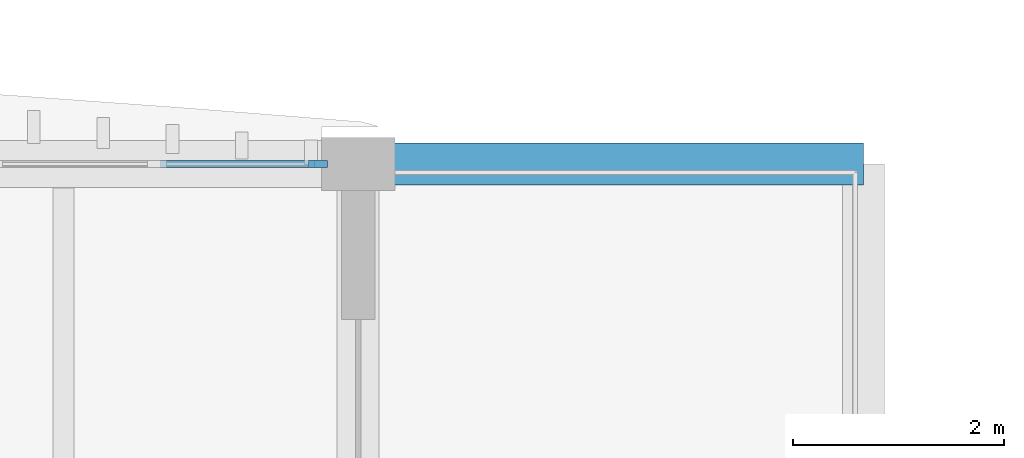
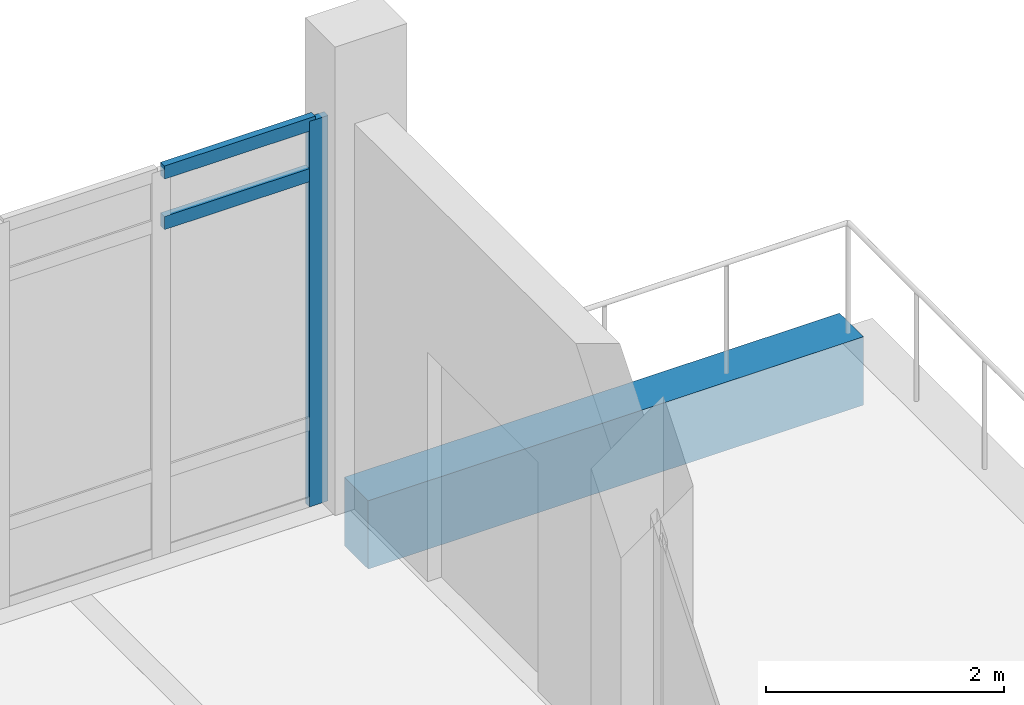
# One storey, part 9 of 50: 3 members, 1 beam, 1 element without a shape of its own.
"""IFC4 building model written with IfcOpenShell, lengths in metres."""

from ifc_helpers import new_model, si_unit, direction, frame, origin, origin_2d, place, context, subcontext, project, spatial, rectangle, extrude, material, material_profile, profile_set, type_object, element, aggregate, save


model = new_model("IFC4")

# Units and contexts
model_context = context("Model", 3, precision=1e-05, world=origin(), true_north=direction((0.0, 1.0)))
body_context = subcontext(model_context, "Body", "Model", "MODEL_VIEW")
ifc_project = project(units=[si_unit("LENGTHUNIT", "METRE"), si_unit("AREAUNIT", "SQUARE_METRE"), si_unit("VOLUMEUNIT", "CUBIC_METRE"), si_unit("PLANEANGLEUNIT", "RADIAN"), si_unit("MASSUNIT", "GRAM", prefix="KILO")], contexts=[model_context])

# Site, building, storey
site_placement = place(None, origin())
site = spatial("IfcSite", under=ifc_project, at=site_placement, CompositionType="ELEMENT")
building_placement = place(site_placement, origin())
building = spatial("IfcBuilding", under=site, at=building_placement, Name="Dornvale Research Institute", CompositionType="ELEMENT")
storey_placement = place(building_placement, frame((0.0, 0.0, 19.800048828125)))
storey = spatial("IfcBuildingStorey", under=building, at=storey_placement, Name="L04", CompositionType="ELEMENT", Elevation=19.800048828125)

# Curtain wall, member
ifc_material_1 = material(Name="Low-E Argon Double Insulating Glazing Unit", Category="glass")
curtain_wall_type = type_object("IfcCurtainWallType", Name="UnitisedCurtainWall_V5_7800x3950", PredefinedType="USERDEFINED", material=ifc_material_1)
curtain_wall_placement = place(storey_placement, origin())
curtain_wall = element("IfcCurtainWall", 1, at=curtain_wall_placement, inside=storey, type_object=curtain_wall_type, Name="L04 V5 unitised curtain wall CW-29 #159", ObjectType="UNITISED CURTAIN WALL", PredefinedType="USERDEFINED")
ifc_material_2 = material(Name="Anodized Aluminum AA 6063-T6 Thermally Broken Frame", Category="aluminium")
ifc_material_profile_1 = material_profile(ifc_material_2, rectangle(XDim=0.06494140625, YDim=0.179931640625, at=origin_2d()), Name="ALU MULLION 65x180")
ifc_profile_set_1 = profile_set([ifc_material_profile_1], Name="Anodized Aluminum AA 6063-T6 Thermally Broken Frame")
member_type_1 = type_object("IfcMemberType", Name="Mullion_CW_65x180", PredefinedType="MULLION", material=ifc_profile_set_1)
member_1_placement = place(storey_placement, frame((41.017578125, 122.10009765625, 0.0), z_axis=(0.0, 0.0, 1.0), x_axis=(0.0, 1.0, 0.0)))
member_1 = element("IfcMember", 2, at=member_1_placement, type_object=member_type_1, Name="CW-29 mullion 6", PredefinedType="MULLION", context=body_context, shape_type="SweptSolid", body=[
    extrude(rectangle(XDim=0.06494140625, YDim=0.179931640625, at=origin_2d()), origin(), (0.0, 0.0, 1.0), 3.949951171875),
])

# Beam
ifc_material_3 = material(Name="Concrete f'c 45 MPa (C35/45)", Category="concrete")
ifc_material_profile_2 = material_profile(ifc_material_3, rectangle(XDim=0.39990234375, YDim=0.699951171875, at=origin_2d()), Name="RC 400x700")
ifc_profile_set_2 = profile_set([ifc_material_profile_2], Name="Concrete f'c 45 MPa (C35/45)")
beam_type = type_object("IfcBeamType", Name="Spandrel_RC400x700_Ext", PredefinedType="SPANDREL", material=ifc_profile_set_2)
beam_placement = place(storey_placement, frame((41.39990234375, 122.10009765625, -0.35009765625), z_axis=(1.0, 0.0, 0.0), x_axis=(0.0, 1.0, 0.0)))
element("IfcBeam", 3, at=beam_placement, inside=storey, type_object=beam_type, Name="L04 terrace edge beam #1321", PredefinedType="SPANDREL", context=body_context, shape_type="SweptSolid", body=[
    extrude(rectangle(XDim=0.39990234375, YDim=0.699951171875, at=origin_2d()), origin(), (0.0, 0.0, 1.0), 4.800048828125),
])

# Member
ifc_material_4 = material(Name="Anodized Aluminum AA 6063-T6 Thermally Broken Frame", Category="aluminium")
ifc_material_profile_3 = material_profile(ifc_material_4, rectangle(XDim=0.06494140625, YDim=0.135009765625, at=origin_2d()), Name="ALU TRANSOM 65x135")
ifc_profile_set_3 = profile_set([ifc_material_profile_3], Name="Anodized Aluminum AA 6063-T6 Thermally Broken Frame")
member_type_2 = type_object("IfcMemberType", Name="Transom_CW_65x135", PredefinedType="USERDEFINED", material=ifc_profile_set_3)
member_2_placement = place(storey_placement, frame((39.5224609375, 122.10009765625, 3.39990234375), z_axis=(1.0, 0.0, 0.0), x_axis=(0.0, 1.0, 0.0)))
member_2 = element("IfcMember", 4, at=member_2_placement, type_object=member_type_2, Name="CW-29 transom 5.3", ObjectType="TRANSOM", PredefinedType="USERDEFINED", context=body_context, shape_type="SweptSolid", body=[
    extrude(rectangle(XDim=0.06494140625, YDim=0.135009765625, at=origin_2d()), origin(), (0.0, 0.0, 1.0), 1.462646484375),
])

member_3_placement = place(storey_placement, frame((39.5224609375, 122.10009765625, 3.91748046875), z_axis=(1.0, 0.0, 0.0), x_axis=(0.0, 1.0, 0.0)))
member_3 = element("IfcMember", 5, at=member_3_placement, type_object=member_type_2, Name="CW-29 transom 5.4", ObjectType="TRANSOM", PredefinedType="USERDEFINED", context=body_context, shape_type="SweptSolid", body=[
    extrude(rectangle(XDim=0.06494140625, YDim=0.135009765625, at=origin_2d()), origin(), (0.0, 0.0, 1.0), 1.462646484375),
])

aggregate(curtain_wall, [member_1, member_2, member_3])

save(model, "model.ifc")
